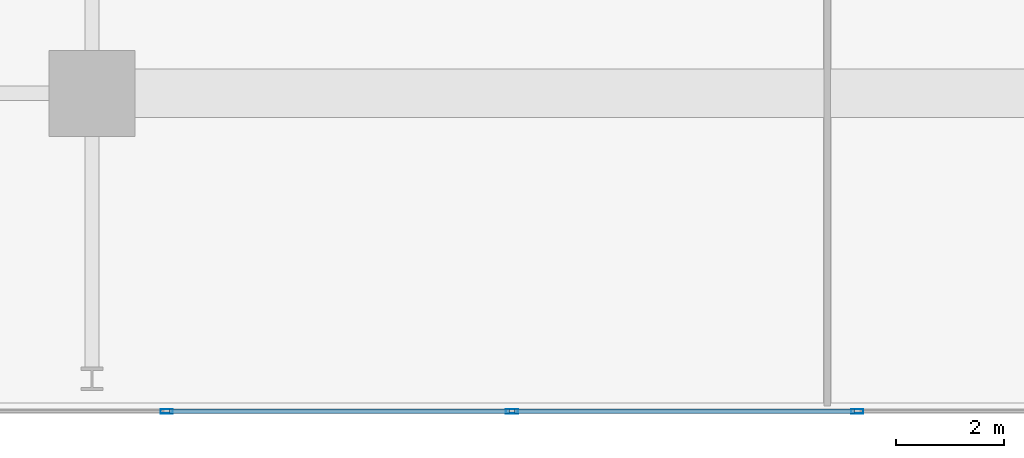
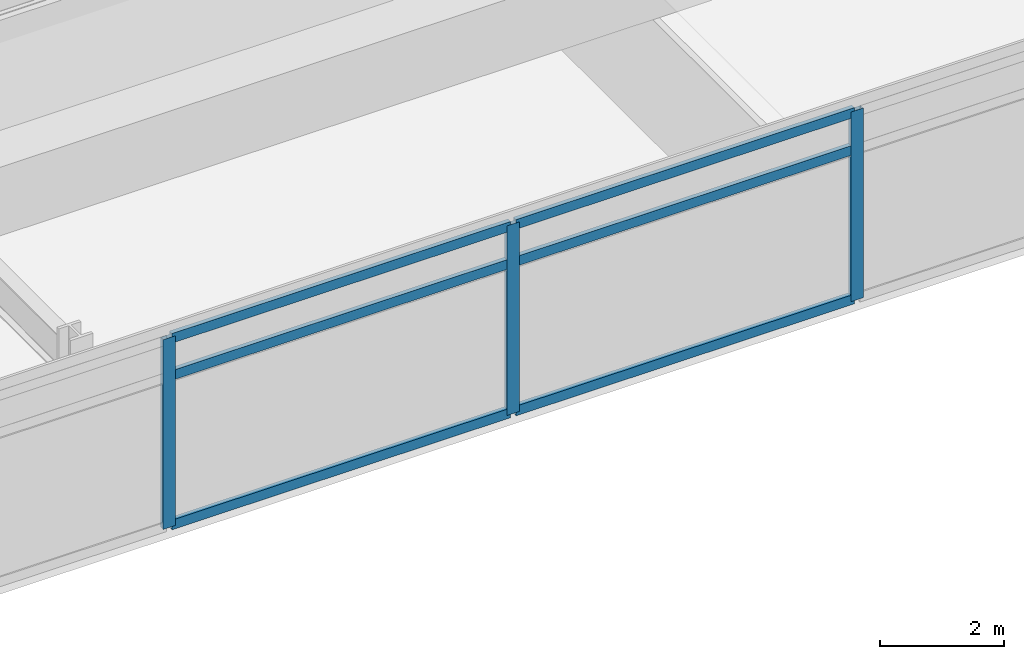
# One storey, part 4 of 20: 9 members, 1 element without a shape of its own.
"""IFC4 building model written with IfcOpenShell, lengths in metres."""

from ifc_helpers import new_model, si_unit, direction, frame, origin, origin_2d, place, context, subcontext, project, spatial, hollow_rectangle, extrude, material, material_profile, profile_set, type_object, element, aggregate, save


model = new_model("IFC4")

# Units and contexts
model_context = context("Model", 3, precision=1e-05, world=origin(), true_north=direction((0.0, 1.0)))
body_context = subcontext(model_context, "Body", "Model", "MODEL_VIEW")
ifc_project = project(units=[si_unit("LENGTHUNIT", "METRE"), si_unit("AREAUNIT", "SQUARE_METRE"), si_unit("VOLUMEUNIT", "CUBIC_METRE"), si_unit("PLANEANGLEUNIT", "RADIAN"), si_unit("MASSUNIT", "GRAM", prefix="KILO")], contexts=[model_context])

# Site, building, storey
site_placement = place(None, origin())
site = spatial("IfcSite", under=ifc_project, at=site_placement, CompositionType="ELEMENT")
building_placement = place(site_placement, origin())
building = spatial("IfcBuilding", under=site, at=building_placement, Name="Kovane Verandah Tower", CompositionType="ELEMENT")
storey_placement = place(building_placement, frame((0.0, 0.0, 128.39990234375)))
storey = spatial("IfcBuildingStorey", under=building, at=storey_placement, Name="L29", CompositionType="ELEMENT", Elevation=128.39990234375)

# Curtain wall, members
ifc_material_1 = material(Name="Champagne Anodised Aluminium Frame with Low-E Clear Laminated Glass", Category="aluminium")
curtain_wall_type = type_object("IfcCurtainWallType", Name="CW-SYS-03-MID", PredefinedType="NOTDEFINED", material=ifc_material_1)
curtain_wall_placement = place(storey_placement, origin())
curtain_wall = element("IfcCurtainWall", 1, at=curtain_wall_placement, inside=storey, type_object=curtain_wall_type, Name="L29 S Unitised Curtain Wall", PredefinedType="NOTDEFINED")
ifc_material_2 = material(Name="Champagne Anodised Aluminium 6063-T6", Category="aluminium")
ifc_material_profile_1 = material_profile(ifc_material_2, hollow_rectangle(XDim=0.0849609375, YDim=0.22998046875, WallThickness=0.00390625, at=origin_2d()), Name="AL85x230x4")
ifc_profile_set_1 = profile_set([ifc_material_profile_1], Name="Champagne Anodised Aluminium 6063-T6")
member_type_1 = type_object("IfcMemberType", Name="CW-MUL-85x230", PredefinedType="MULLION", material=ifc_profile_set_1)
member_1_placement = place(storey_placement, frame((30.3876953125, 4.89990234375, 0.02001953125), z_axis=(0.0, 0.0, 1.0), x_axis=(0.0, -1.0, 0.0)))
member_1 = element("IfcMember", 2, at=member_1_placement, type_object=member_type_1, Name="L29 S Unitised Curtain Wall Mullion 3", PredefinedType="MULLION", context=body_context, shape_type="SweptSolid", body=[
    extrude(hollow_rectangle(XDim=0.0849609375, YDim=0.22998046875, WallThickness=0.00390625, at=origin_2d()), origin(), (0.0, 0.0, 1.0), 3.735107421875),
])
member_2_placement = place(storey_placement, frame((36.7958984375, 4.89990234375, 0.02001953125), z_axis=(0.0, 0.0, 1.0), x_axis=(0.0, -1.0, 0.0)))
member_2 = element("IfcMember", 3, at=member_2_placement, type_object=member_type_1, Name="L29 S Unitised Curtain Wall Mullion 4", PredefinedType="MULLION", context=body_context, shape_type="SweptSolid", body=[
    extrude(hollow_rectangle(XDim=0.0849609375, YDim=0.22998046875, WallThickness=0.00390625, at=origin_2d()), origin(), (0.0, 0.0, 1.0), 3.735107421875),
])
member_3_placement = place(storey_placement, frame((43.2041015625, 4.89990234375, 0.02001953125), z_axis=(0.0, 0.0, 1.0), x_axis=(0.0, -1.0, 0.0)))
member_3 = element("IfcMember", 4, at=member_3_placement, type_object=member_type_1, Name="L29 S Unitised Curtain Wall Mullion 5", PredefinedType="MULLION", context=body_context, shape_type="SweptSolid", body=[
    extrude(hollow_rectangle(XDim=0.0849609375, YDim=0.22998046875, WallThickness=0.00390625, at=origin_2d()), origin(), (0.0, 0.0, 1.0), 3.735107421875),
])
ifc_material_profile_2 = material_profile(ifc_material_2, hollow_rectangle(XDim=0.0849609375, YDim=0.18994140625, WallThickness=0.00390625, at=origin_2d()), Name="AL85x190x4")
ifc_profile_set_2 = profile_set([ifc_material_profile_2], Name="Champagne Anodised Aluminium 6063-T6")
member_type_2 = type_object("IfcMemberType", Name="CW-TRN-85x190", PredefinedType="USERDEFINED", material=ifc_profile_set_2)
member_4_placement = place(storey_placement, frame((30.437744140625, 4.89990234375, 0.050048828125), z_axis=(1.0, 0.0, 0.0), x_axis=(0.0, 1.0, 0.0)))
member_4 = element("IfcMember", 5, at=member_4_placement, type_object=member_type_2, Name="L29 S Unitised Curtain Wall Transom TB Bay 3", ObjectType="TRANSOM", PredefinedType="USERDEFINED", context=body_context, shape_type="SweptSolid", body=[
    extrude(hollow_rectangle(XDim=0.0849609375, YDim=0.18994140625, WallThickness=0.00390625, at=origin_2d()), origin(), (0.0, 0.0, 1.0), 6.30810546875),
])
member_5_placement = place(storey_placement, frame((30.437744140625, 4.89990234375, 2.9951171875), z_axis=(1.0, 0.0, 0.0), x_axis=(0.0, 1.0, 0.0)))
member_5 = element("IfcMember", 6, at=member_5_placement, type_object=member_type_2, Name="L29 S Unitised Curtain Wall Transom TM Bay 3", ObjectType="TRANSOM", PredefinedType="USERDEFINED", context=body_context, shape_type="SweptSolid", body=[
    extrude(hollow_rectangle(XDim=0.0849609375, YDim=0.18994140625, WallThickness=0.00390625, at=origin_2d()), origin(), (0.0, 0.0, 1.0), 6.30810546875),
])
member_6_placement = place(storey_placement, frame((30.437744140625, 4.89990234375, 3.72509765625), z_axis=(1.0, 0.0, 0.0), x_axis=(0.0, 1.0, 0.0)))
member_6 = element("IfcMember", 7, at=member_6_placement, type_object=member_type_2, Name="L29 S Unitised Curtain Wall Transom TT Bay 3", ObjectType="TRANSOM", PredefinedType="USERDEFINED", context=body_context, shape_type="SweptSolid", body=[
    extrude(hollow_rectangle(XDim=0.0849609375, YDim=0.18994140625, WallThickness=0.00390625, at=origin_2d()), origin(), (0.0, 0.0, 1.0), 6.30810546875),
])
member_7_placement = place(storey_placement, frame((36.845947265625, 4.89990234375, 0.050048828125), z_axis=(1.0, 0.0, 0.0), x_axis=(0.0, 1.0, 0.0)))
member_7 = element("IfcMember", 8, at=member_7_placement, type_object=member_type_2, Name="L29 S Unitised Curtain Wall Transom TB Bay 4", ObjectType="TRANSOM", PredefinedType="USERDEFINED", context=body_context, shape_type="SweptSolid", body=[
    extrude(hollow_rectangle(XDim=0.0849609375, YDim=0.18994140625, WallThickness=0.00390625, at=origin_2d()), origin(), (0.0, 0.0, 1.0), 6.30810546875),
])
member_8_placement = place(storey_placement, frame((36.845947265625, 4.89990234375, 2.9951171875), z_axis=(1.0, 0.0, 0.0), x_axis=(0.0, 1.0, 0.0)))
member_8 = element("IfcMember", 9, at=member_8_placement, type_object=member_type_2, Name="L29 S Unitised Curtain Wall Transom TM Bay 4", ObjectType="TRANSOM", PredefinedType="USERDEFINED", context=body_context, shape_type="SweptSolid", body=[
    extrude(hollow_rectangle(XDim=0.0849609375, YDim=0.18994140625, WallThickness=0.00390625, at=origin_2d()), origin(), (0.0, 0.0, 1.0), 6.30810546875),
])
member_9_placement = place(storey_placement, frame((36.845947265625, 4.89990234375, 3.72509765625), z_axis=(1.0, 0.0, 0.0), x_axis=(0.0, 1.0, 0.0)))
member_9 = element("IfcMember", 10, at=member_9_placement, type_object=member_type_2, Name="L29 S Unitised Curtain Wall Transom TT Bay 4", ObjectType="TRANSOM", PredefinedType="USERDEFINED", context=body_context, shape_type="SweptSolid", body=[
    extrude(hollow_rectangle(XDim=0.0849609375, YDim=0.18994140625, WallThickness=0.00390625, at=origin_2d()), origin(), (0.0, 0.0, 1.0), 6.30810546875),
])
aggregate(curtain_wall, [member_1, member_2, member_3, member_4, member_5, member_6, member_7, member_8, member_9])

save(model, "model.ifc")
